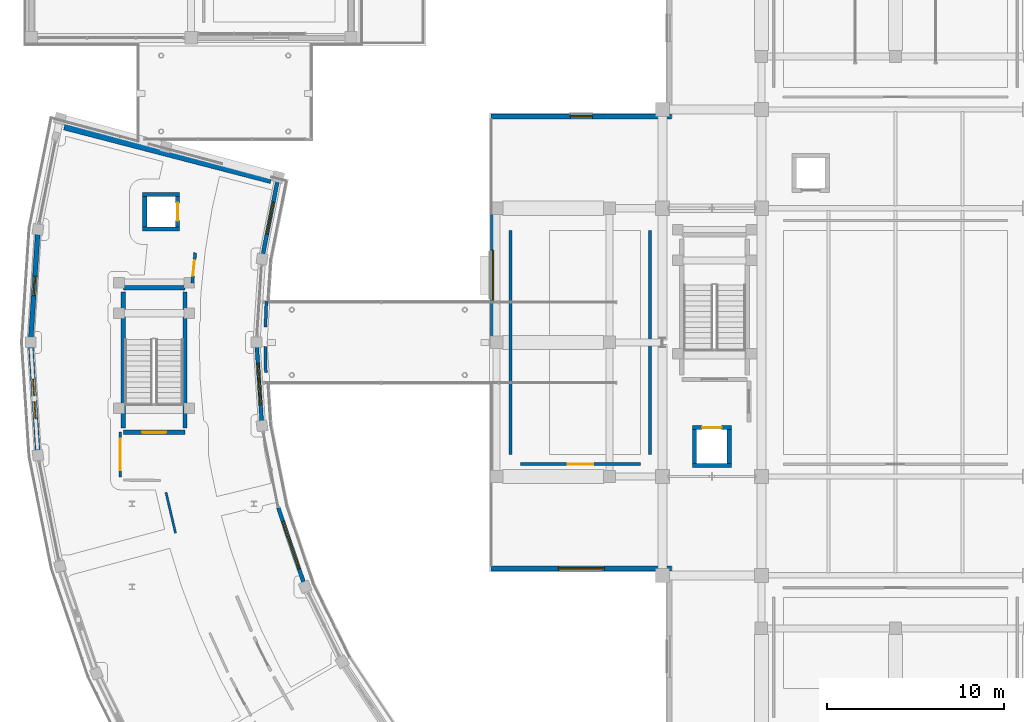
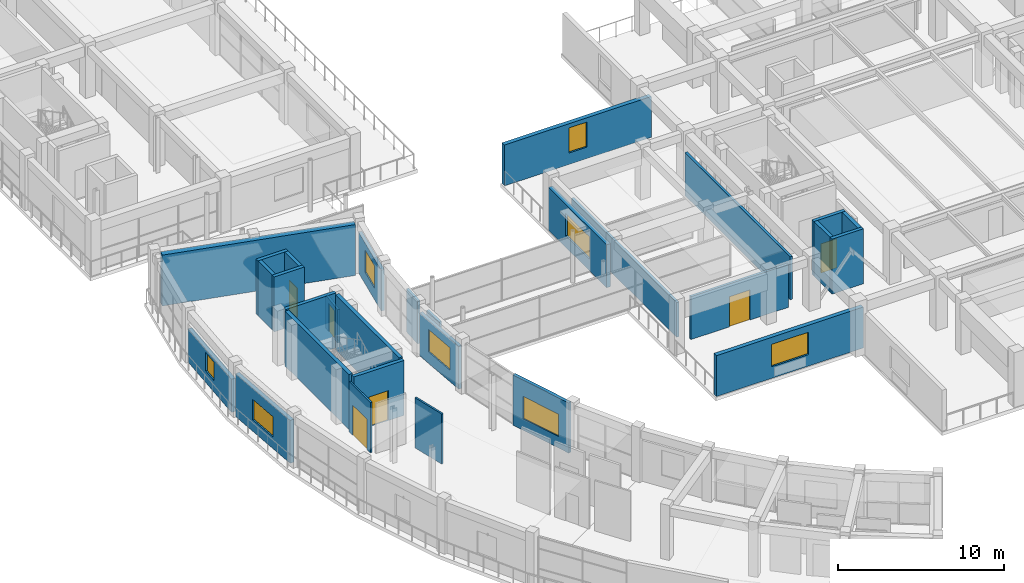
# One storey, part 47 of 70: 29 walls, 8 windows, 6 doors, 14 openings.
"""IFC4 building model written with IfcOpenShell, lengths in metres."""

from ifc_helpers import new_model, si_unit, direction, frame, frame_2d, origin, place, context, subcontext, project, spatial, rectangle, extrude, material, layer, layer_set, type_object, element, fill, save


model = new_model("IFC4")

# Units and contexts
model_context = context("Model", 3, precision=1e-05, world=origin(), true_north=direction((0.0, 1.0)))
body_context = subcontext(model_context, "Body", "Model", "MODEL_VIEW")
ifc_project = project(units=[si_unit("LENGTHUNIT", "METRE"), si_unit("AREAUNIT", "SQUARE_METRE"), si_unit("VOLUMEUNIT", "CUBIC_METRE"), si_unit("PLANEANGLEUNIT", "RADIAN"), si_unit("MASSUNIT", "GRAM", prefix="KILO")], contexts=[model_context])

# Site, building, storey
site_placement = place(None, origin())
site = spatial("IfcSite", under=ifc_project, at=site_placement, CompositionType="ELEMENT")
building_placement = place(site_placement, origin())
building = spatial("IfcBuilding", under=site, at=building_placement, Name="Saryqyr Civic Hall", CompositionType="ELEMENT")
storey_placement = place(building_placement, frame((0.0, 0.0, 13.199951171875)))
storey = spatial("IfcBuildingStorey", under=building, at=storey_placement, Name="L03", CompositionType="ELEMENT", Elevation=13.199951171875)

# Wall, opening, window
ifc_material_1 = material(Name="Precast concrete C40/50", Category="concrete")
ifc_layer_1 = layer(ifc_material_1, 0.219970703125, Name="Precast concrete C40/50")
ifc_layer_set_1 = layer_set([ifc_layer_1], Name="Precast concrete C40/50")
wall_type_1 = type_object("IfcWallType", Name="ENV-WAL-EXT-220", PredefinedType="STANDARD", material=ifc_layer_set_1)
wall_1_placement = place(storey_placement, frame((21.98681640625, 93.13427734375, 0.0), z_axis=(0.0, 0.0, 1.0), x_axis=(-0.1950901202, -0.980785320547, 0.0)))
wall_1 = element("IfcWall", 1, at=wall_1_placement, inside=storey, type_object=wall_type_1, Name="Exterior wall V4-EWI-L03-00", PredefinedType="STANDARD", context=body_context, shape_type="SweptSolid", body=[
    extrude(rectangle(XDim=4.256103515625, YDim=0.219970703125, at=frame_2d((2.1279296875, 0.0))), origin(), (0.0, 0.0, 1.0), 3.01513671875),
])
opening_1_placement = place(wall_1_placement, frame((1.202880859375, 0.0, 0.85009765625)))
opening_1 = element("IfcOpeningElement", 2, at=opening_1_placement, cuts=wall_1, Name="Opening W-20", PredefinedType="OPENING", context=body_context, shape_type="SweptSolid", body=[
    extrude(rectangle(XDim=1.85009765625, YDim=1.64990234375, at=frame_2d((0.925048828125, 0.824951171875))), frame((0.0, 0.119873046875, 0.0), z_axis=(0.0, -1.0, 0.0), x_axis=(1.0, 0.0, 0.0)), (0.0, 0.0, 1.0), 0.239990234375),
])
ifc_material_2 = material(Name="Anodised aluminium and triple low-E glass", Category="aluminium")
window_type_1 = type_object("IfcWindowType", Name="ENV-WIN-W20", PartitioningType="SINGLE_PANEL", PredefinedType="WINDOW", material=ifc_material_2)
window_1_placement = place(opening_1_placement, origin())
window_1 = element("IfcWindow", 3, at=window_1_placement, inside=storey, type_object=window_type_1, Name="Courtyard window V4-L03-00", OverallHeight=1.64990234375, OverallWidth=1.85009765625, PartitioningType="SINGLE_PANEL", PredefinedType="WINDOW", context=body_context, shape_type="SweptSolid", body=[
    extrude(rectangle(XDim=1.85009765625, YDim=1.64990234375, at=frame_2d((0.925048828125, 0.824951171875))), frame((0.0, 0.030029296875, 0.0), z_axis=(0.0, -1.0, 0.0), x_axis=(1.0, 0.0, 0.0)), (0.0, 0.0, 1.0), 0.06005859375),
])
fill(opening_1, window_1)

wall_2_placement = place(storey_placement, frame((20.8154296875, 83.764892578125, 0.0), z_axis=(0.0, 0.0, 1.0), x_axis=(0.065386512163, -0.99786001224, 0.0)))
wall_2 = element("IfcWall", 4, at=wall_2_placement, inside=storey, type_object=wall_type_1, Name="Exterior wall V4-EWI-L03-02", PredefinedType="STANDARD", context=body_context, shape_type="SweptSolid", body=[
    extrude(rectangle(XDim=4.263916015625, YDim=0.219970703125, at=frame_2d((2.1318359375, 0.0))), origin(), (0.0, 0.0, 1.0), 3.1650390625),
])
opening_2_placement = place(wall_2_placement, frame((0.95703125, 0.0, 0.85009765625)))
opening_2 = element("IfcOpeningElement", 5, at=opening_2_placement, cuts=wall_2, Name="Opening W-22", PredefinedType="OPENING", context=body_context, shape_type="SweptSolid", body=[
    extrude(rectangle(XDim=2.35009765625, YDim=1.64990234375, at=frame_2d((1.175048828125, 0.824951171875))), frame((0.0, 0.119873046875, 0.0), z_axis=(0.0, -1.0, 0.0), x_axis=(1.0, 0.0, 0.0)), (0.0, 0.0, 1.0), 0.239990234375),
])
window_type_2 = type_object("IfcWindowType", Name="ENV-WIN-W22", PartitioningType="SINGLE_PANEL", PredefinedType="WINDOW", material=ifc_material_2)
window_2_placement = place(opening_2_placement, origin())
window_2 = element("IfcWindow", 6, at=window_2_placement, inside=storey, type_object=window_type_2, Name="Courtyard window V4-L03-02", OverallHeight=1.64990234375, OverallWidth=2.35009765625, PartitioningType="SINGLE_PANEL", PredefinedType="WINDOW", context=body_context, shape_type="SweptSolid", body=[
    extrude(rectangle(XDim=2.35009765625, YDim=1.64990234375, at=frame_2d((1.175048828125, 0.824951171875))), frame((0.0, 0.030029296875, 0.0), z_axis=(0.0, -1.0, 0.0), x_axis=(1.0, 0.0, 0.0)), (0.0, 0.0, 1.0), 0.06005859375),
])
fill(opening_2, window_2)

wall_3_placement = place(storey_placement, frame((22.033447265625, 74.630859375, 0.0), z_axis=(0.0, 0.0, 1.0), x_axis=(0.321446201736, -0.946927842758, 0.0)))
wall_3 = element("IfcWall", 7, at=wall_3_placement, inside=storey, type_object=wall_type_1, Name="Exterior wall V4-EWI-L03-04", PredefinedType="STANDARD", context=body_context, shape_type="SweptSolid", body=[
    extrude(rectangle(XDim=4.487060546875, YDim=0.219970703125, at=frame_2d((2.24365234375, 0.0))), origin(), (0.0, 0.0, 1.0), 3.699951171875),
])
opening_3_placement = place(wall_3_placement, frame((0.819091796875, 0.0, 0.85009765625)))
opening_3 = element("IfcOpeningElement", 8, at=opening_3_placement, cuts=wall_3, Name="Opening W-24", PredefinedType="OPENING", context=body_context, shape_type="SweptSolid", body=[
    extrude(rectangle(XDim=2.85009765625, YDim=1.64990234375, at=frame_2d((1.425048828125, 0.824951171875))), frame((0.0, 0.119873046875, 0.0), z_axis=(0.0, -1.0, 0.0), x_axis=(1.0, 0.0, 0.0)), (0.0, 0.0, 1.0), 0.239990234375),
])
window_type_3 = type_object("IfcWindowType", Name="ENV-WIN-W24", PartitioningType="SINGLE_PANEL", PredefinedType="WINDOW", material=ifc_material_2)
window_3_placement = place(opening_3_placement, origin())
window_3 = element("IfcWindow", 9, at=window_3_placement, inside=storey, type_object=window_type_3, Name="Courtyard window V4-L03-04", OverallHeight=1.64990234375, OverallWidth=2.85009765625, PartitioningType="SINGLE_PANEL", PredefinedType="WINDOW", context=body_context, shape_type="SweptSolid", body=[
    extrude(rectangle(XDim=2.85009765625, YDim=1.64990234375, at=frame_2d((1.425048828125, 0.824951171875))), frame((0.0, 0.030029296875, 0.0), z_axis=(0.0, -1.0, 0.0), x_axis=(1.0, 0.0, 0.0)), (0.0, 0.0, 1.0), 0.06005859375),
])
fill(opening_3, window_3)

ifc_layer_2 = layer(ifc_material_1, 0.27001953125, Name="Precast concrete C40/50")
ifc_layer_set_2 = layer_set([ifc_layer_2], Name="Precast concrete C40/50")
wall_type_2 = type_object("IfcWallType", Name="ENV-WAL-EXT-270", PredefinedType="STANDARD", material=ifc_layer_set_2)
wall_4_placement = place(storey_placement, frame((8.015380859375, 84.235107421875, 0.0), z_axis=(0.0, 0.0, 1.0), x_axis=(0.065408412816, 0.99785857692, 0.0)))
wall_4 = element("IfcWall", 10, at=wall_4_placement, inside=storey, type_object=wall_type_2, Name="Exterior wall V4-EWO-L03-01", PredefinedType="STANDARD", context=body_context, shape_type="SweptSolid", body=[
    extrude(rectangle(XDim=5.9384765625, YDim=0.27001953125, at=frame_2d((2.96923828125, 0.0))), origin(), (0.0, 0.0, 1.0), 2.449951171875),
])
opening_4_placement = place(wall_4_placement, frame((2.4189453125, 0.0, 0.85009765625)))
opening_4 = element("IfcOpeningElement", 11, at=opening_4_placement, cuts=wall_4, Name="Opening W-01", PredefinedType="OPENING", context=body_context, shape_type="SweptSolid", body=[
    extrude(rectangle(XDim=1.10009765625, YDim=1.35009765625, at=frame_2d((0.550048828125, 0.675048828125))), frame((0.0, 0.14501953125, 0.0), z_axis=(0.0, -1.0, 0.0), x_axis=(1.0, 0.0, 0.0)), (0.0, 0.0, 1.0), 0.2900390625),
])
window_type_4 = type_object("IfcWindowType", Name="ENV-WIN-W01", PartitioningType="SINGLE_PANEL", PredefinedType="WINDOW", material=ifc_material_2)
window_4_placement = place(opening_4_placement, origin())
window_4 = element("IfcWindow", 12, at=window_4_placement, inside=storey, type_object=window_type_4, Name="Exterior ribbon window V4-L03-01", OverallHeight=1.35009765625, OverallWidth=1.10009765625, PartitioningType="SINGLE_PANEL", PredefinedType="WINDOW", context=body_context, shape_type="SweptSolid", body=[
    extrude(rectangle(XDim=1.10009765625, YDim=1.35009765625, at=frame_2d((0.550048828125, 0.675048828125))), frame((0.0, 0.030029296875, 0.0), z_axis=(0.0, -1.0, 0.0), x_axis=(1.0, 0.0, 0.0)), (0.0, 0.0, 1.0), 0.06005859375),
])
fill(opening_4, window_4)

wall_5_placement = place(storey_placement, frame((8.40380859375, 77.839111328125, 0.0), z_axis=(0.0, 0.0, 1.0), x_axis=(-0.065408412816, 0.99785857692, 0.0)))
wall_5 = element("IfcWall", 13, at=wall_5_placement, inside=storey, type_object=wall_type_2, Name="Exterior wall V4-EWO-L03-02", PredefinedType="STANDARD", context=body_context, shape_type="SweptSolid", body=[
    extrude(rectangle(XDim=5.9384765625, YDim=0.27001953125, at=frame_2d((2.96923828125, 0.0))), origin(), (0.0, 0.0, 1.0), 3.1650390625),
])
opening_5_placement = place(wall_5_placement, frame((1.843994140625, 0.0, 0.85009765625)))
opening_5 = element("IfcOpeningElement", 14, at=opening_5_placement, cuts=wall_5, Name="Opening W-15", PredefinedType="OPENING", context=body_context, shape_type="SweptSolid", body=[
    extrude(rectangle(XDim=2.25, YDim=1.5, at=frame_2d((1.125, 0.75))), frame((0.0, 0.14501953125, 0.0), z_axis=(0.0, -1.0, 0.0), x_axis=(1.0, 0.0, 0.0)), (0.0, 0.0, 1.0), 0.2900390625),
])
window_type_5 = type_object("IfcWindowType", Name="ENV-WIN-W15", PartitioningType="SINGLE_PANEL", PredefinedType="WINDOW", material=ifc_material_2)
window_5_placement = place(opening_5_placement, origin())
window_5 = element("IfcWindow", 15, at=window_5_placement, inside=storey, type_object=window_type_5, Name="Exterior ribbon window V4-L03-02", OverallHeight=1.5, OverallWidth=2.25, PartitioningType="SINGLE_PANEL", PredefinedType="WINDOW", context=body_context, shape_type="SweptSolid", body=[
    extrude(rectangle(XDim=2.25, YDim=1.5, at=frame_2d((1.125, 0.75))), frame((0.0, 0.030029296875, 0.0), z_axis=(0.0, -1.0, 0.0), x_axis=(1.0, 0.0, 0.0)), (0.0, 0.0, 1.0), 0.06005859375),
])
fill(opening_5, window_5)

ifc_layer_3 = layer(ifc_material_1, 0.2900390625, Name="Precast concrete C40/50")
ifc_layer_set_3 = layer_set([ifc_layer_3], Name="Precast concrete C40/50")
wall_type_3 = type_object("IfcWallType", Name="ENV-WAL-EXT-290", PredefinedType="STANDARD", material=ifc_layer_set_3)
wall_6_placement = place(storey_placement, frame((44.320068359375, 71.199951171875, 0.0), z_axis=(0.0, 0.0, 1.0), x_axis=(-1.0, 0.0, 0.0)))
wall_6 = element("IfcWall", 16, at=wall_6_placement, inside=storey, type_object=wall_type_3, Name="Exterior wall V1-EW-L03-01", PredefinedType="STANDARD", context=body_context, shape_type="SweptSolid", body=[
    extrude(rectangle(XDim=10.239990234375, YDim=0.2900390625, at=frame_2d((5.1201171875, 0.0))), origin(), (0.0, 0.0, 1.0), 3.01513671875),
])
opening_6_placement = place(wall_6_placement, frame((3.820068359375, 0.0, 0.85009765625)))
opening_6 = element("IfcOpeningElement", 17, at=opening_6_placement, cuts=wall_6, Name="Opening W-23", PredefinedType="OPENING", context=body_context, shape_type="SweptSolid", body=[
    extrude(rectangle(XDim=2.60009765625, YDim=1.64990234375, at=frame_2d((1.300048828125, 0.824951171875))), frame((0.0, 0.155029296875, 0.0), z_axis=(0.0, -1.0, 0.0), x_axis=(1.0, 0.0, 0.0)), (0.0, 0.0, 1.0), 0.31005859375),
])
window_type_6 = type_object("IfcWindowType", Name="ENV-WIN-W23", PartitioningType="SINGLE_PANEL", PredefinedType="WINDOW", material=ifc_material_2)
window_6_placement = place(opening_6_placement, origin())
window_6 = element("IfcWindow", 18, at=window_6_placement, inside=storey, type_object=window_type_6, Name="Chamber cluster window L03-01", OverallHeight=1.64990234375, OverallWidth=2.60009765625, PartitioningType="SINGLE_PANEL", PredefinedType="WINDOW", context=body_context, shape_type="SweptSolid", body=[
    extrude(rectangle(XDim=2.60009765625, YDim=1.64990234375, at=frame_2d((1.300048828125, 0.824951171875))), frame((0.0, 0.030029296875, 0.0), z_axis=(0.0, -1.0, 0.0), x_axis=(1.0, 0.0, 0.0)), (0.0, 0.0, 1.0), 0.06005859375),
])
fill(opening_6, window_6)

wall_7_placement = place(storey_placement, frame((34.199951171875, 84.284912109375, 0.0), z_axis=(0.0, 0.0, 1.0), x_axis=(0.0, 1.0, 0.0)))
wall_7 = element("IfcWall", 19, at=wall_7_placement, inside=storey, type_object=wall_type_3, Name="Exterior wall V1-EW-L03-02", PredefinedType="STANDARD", context=body_context, shape_type="SweptSolid", body=[
    extrude(rectangle(XDim=7.030029296875, YDim=0.2900390625, at=frame_2d((3.51513671875, 0.0))), origin(), (0.0, 0.0, 1.0), 3.1650390625),
])
opening_7_placement = place(wall_7_placement, frame((2.090087890625, 0.0, 0.85009765625)))
opening_7 = element("IfcOpeningElement", 20, at=opening_7_placement, cuts=wall_7, Name="Opening W-24", PredefinedType="OPENING", context=body_context, shape_type="SweptSolid", body=[
    extrude(rectangle(XDim=2.85009765625, YDim=1.64990234375, at=frame_2d((1.425048828125, 0.824951171875))), frame((0.0, 0.155029296875, 0.0), z_axis=(0.0, -1.0, 0.0), x_axis=(1.0, 0.0, 0.0)), (0.0, 0.0, 1.0), 0.31005859375),
])
window_7_placement = place(opening_7_placement, origin())
window_7 = element("IfcWindow", 21, at=window_7_placement, inside=storey, type_object=window_type_3, Name="Chamber cluster window L03-02", OverallHeight=1.64990234375, OverallWidth=2.85009765625, PartitioningType="SINGLE_PANEL", PredefinedType="WINDOW", context=body_context, shape_type="SweptSolid", body=[
    extrude(rectangle(XDim=2.85009765625, YDim=1.64990234375, at=frame_2d((1.425048828125, 0.824951171875))), frame((0.0, 0.030029296875, 0.0), z_axis=(0.0, -1.0, 0.0), x_axis=(1.0, 0.0, 0.0)), (0.0, 0.0, 1.0), 0.06005859375),
])
fill(opening_7, window_7)

wall_8_placement = place(storey_placement, frame((34.080078125, 96.800048828125, 0.0), z_axis=(0.0, 0.0, 1.0), x_axis=(1.0, 0.0, 0.0)))
wall_8 = element("IfcWall", 22, at=wall_8_placement, inside=storey, type_object=wall_type_3, Name="Exterior wall V1-EW-L03-03", PredefinedType="STANDARD", context=body_context, shape_type="SweptSolid", body=[
    extrude(rectangle(XDim=10.239990234375, YDim=0.2900390625, at=frame_2d((5.1201171875, 0.0))), origin(), (0.0, 0.0, 1.0), 3.01513671875),
])
opening_8_placement = place(wall_8_placement, frame((4.4951171875, 0.0, 0.85009765625)))
opening_8 = element("IfcOpeningElement", 23, at=opening_8_placement, cuts=wall_8, Name="Opening W-25", PredefinedType="OPENING", context=body_context, shape_type="SweptSolid", body=[
    extrude(rectangle(XDim=1.25, YDim=1.85009765625, at=frame_2d((0.625, 0.925048828125))), frame((0.0, 0.155029296875, 0.0), z_axis=(0.0, -1.0, 0.0), x_axis=(1.0, 0.0, 0.0)), (0.0, 0.0, 1.0), 0.31005859375),
])
window_type_7 = type_object("IfcWindowType", Name="ENV-WIN-W25", PartitioningType="SINGLE_PANEL", PredefinedType="WINDOW", material=ifc_material_2)
window_8_placement = place(opening_8_placement, origin())
window_8 = element("IfcWindow", 24, at=window_8_placement, inside=storey, type_object=window_type_7, Name="Chamber cluster window L03-03", OverallHeight=1.85009765625, OverallWidth=1.25, PartitioningType="SINGLE_PANEL", PredefinedType="WINDOW", context=body_context, shape_type="SweptSolid", body=[
    extrude(rectangle(XDim=1.25, YDim=1.85009765625, at=frame_2d((0.625, 0.925048828125))), frame((0.0, 0.030029296875, 0.0), z_axis=(0.0, -1.0, 0.0), x_axis=(1.0, 0.0, 0.0)), (0.0, 0.0, 1.0), 0.06005859375),
])
fill(opening_8, window_8)

# Wall
ifc_material_3 = material(Name="Concrete C40/50", Category="concrete")
ifc_layer_4 = layer(ifc_material_3, 0.3798828125, Name="Concrete C40/50")
ifc_layer_set_4 = layer_set([ifc_layer_4], Name="Concrete C40/50")
wall_type_4 = type_object("IfcWallType", Name="ENV-WAL-PTY-380", PredefinedType="SHEAR", material=ifc_layer_set_4)
wall_9_placement = place(storey_placement, frame((9.910400390625, 96.22216796875, 0.0), z_axis=(0.0, 0.0, 1.0), x_axis=(0.96792914822, -0.251223334956, 0.0)))
element("IfcWall", 25, at=wall_9_placement, inside=storey, type_object=wall_type_4, Name="Exterior wall V4-JNTW-A-L03", PredefinedType="SHEAR", context=body_context, shape_type="SweptSolid", body=[
    extrude(rectangle(XDim=12.099853515625, YDim=0.3798828125, at=frame_2d((6.0498046875, 0.0))), origin(), (0.0, 0.0, 1.0), 3.75),
])

# Wall, opening, door
ifc_material_4 = material(Name="Metal-stud gypsum board partition", Category="gypsum")
ifc_layer_5 = layer(ifc_material_4, 0.125, Name="Metal-stud gypsum board partition")
ifc_layer_set_5 = layer_set([ifc_layer_5], Name="Metal-stud gypsum board partition")
wall_type_5 = type_object("IfcWallType", Name="INT-WAL-PRT-125", PredefinedType="PARTITIONING", material=ifc_layer_set_5)
wall_10_placement = place(storey_placement, frame((13.080078125, 78.922119140625, 0.0), z_axis=(0.0, 0.0, 1.0), x_axis=(0.0, -1.0, 0.0)))
wall_10 = element("IfcWall", 26, at=wall_10_placement, inside=storey, type_object=wall_type_5, Name="Interior partition PRT-SP-V4-L03-R01-W1", PredefinedType="PARTITIONING", context=body_context, shape_type="SweptSolid", body=[
    extrude(rectangle(XDim=2.542236328125, YDim=0.125, at=frame_2d((1.27099609375, 0.0))), origin(), (0.0, 0.0, 1.0), 3.699951171875),
])
opening_9_placement = place(wall_10_placement, frame((0.37109375, 0.0, 0.0)))
opening_9 = element("IfcOpeningElement", 27, at=opening_9_placement, cuts=wall_10, Name="Opening D-15", PredefinedType="OPENING", context=body_context, shape_type="SweptSolid", body=[
    extrude(rectangle(XDim=1.800048828125, YDim=2.219970703125, at=frame_2d((0.89990234375, 1.10986328125))), frame((0.0, 0.072509765625, 0.0), z_axis=(0.0, -1.0, 0.0), x_axis=(1.0, 0.0, 0.0)), (0.0, 0.0, 1.0), 0.14501953125),
])
ifc_material_5 = material(Name="Acoustic solid-core oak veneer", Category="wood")
door_type_1 = type_object("IfcDoorType", Name="INT-DR-D-15", OperationType="NOTDEFINED", PredefinedType="DOOR", material=ifc_material_5)
door_1_placement = place(opening_9_placement, origin())
door_1 = element("IfcDoor", 28, at=door_1_placement, inside=storey, type_object=door_type_1, Name="Interior door Transport & Mobility Department Studio", OperationType="DOUBLE_DOOR_SINGLE_SWING", OverallHeight=2.219970703125, OverallWidth=1.800048828125, PredefinedType="DOOR", context=body_context, shape_type="SweptSolid", body=[
    extrude(rectangle(XDim=1.800048828125, YDim=2.219970703125, at=frame_2d((0.89990234375, 1.10986328125))), frame((0.0, 0.02490234375, 0.0), z_axis=(0.0, -1.0, 0.0), x_axis=(1.0, 0.0, 0.0)), (0.0, 0.0, 1.0), 0.050048828125),
])
fill(opening_9, door_1)

# Wall
wall_11_placement = place(storey_placement, frame((15.66943359375, 75.50537109375, 0.0), z_axis=(0.0, 0.0, 1.0), x_axis=(0.228683661035, -0.973500787455, 0.0)))
element("IfcWall", 29, at=wall_11_placement, inside=storey, type_object=wall_type_5, Name="Interior partition PRT-SP-V4-L03-R01-W3", PredefinedType="PARTITIONING", context=body_context, shape_type="SweptSolid", body=[
    extrude(rectangle(XDim=2.3720703125, YDim=0.125, at=frame_2d((1.18603515625, 0.0))), origin(), (0.0, 0.0, 1.0), 3.699951171875),
])

# Wall, opening, door
ifc_material_6 = material(Name="Acoustic double-stud gypsum board", Category="gypsum")
ifc_layer_6 = layer(ifc_material_6, 0.169921875, Name="Acoustic double-stud gypsum board")
ifc_layer_set_6 = layer_set([ifc_layer_6], Name="Acoustic double-stud gypsum board")
wall_type_6 = type_object("IfcWallType", Name="INT-WAL-PRT-170", PredefinedType="PARTITIONING", material=ifc_layer_set_6)
wall_12_placement = place(storey_placement, frame((17.154296875, 87.35595703125, 0.0), z_axis=(0.0, 0.0, 1.0), x_axis=(0.100761163017, 0.994910643238, 0.0)))
wall_12 = element("IfcWall", 30, at=wall_12_placement, inside=storey, type_object=wall_type_6, Name="Interior partition PRT-SP-V4-L03-R04-W1", PredefinedType="PARTITIONING", context=body_context, shape_type="SweptSolid", body=[
    extrude(rectangle(XDim=1.72998046875, YDim=0.169921875, at=frame_2d((0.864990234375, 0.0))), origin(), (0.0, 0.0, 1.0), 2.449951171875),
])
opening_10_placement = place(wall_12_placement, frame((0.4150390625, 0.0, 0.0)))
opening_10 = element("IfcOpeningElement", 31, at=opening_10_placement, cuts=wall_12, Name="Opening D-01", PredefinedType="OPENING", context=body_context, shape_type="SweptSolid", body=[
    extrude(rectangle(XDim=0.89990234375, YDim=2.10009765625, at=frame_2d((0.449951171875, 1.050048828125))), frame((0.0, 0.094970703125, 0.0), z_axis=(0.0, -1.0, 0.0), x_axis=(1.0, 0.0, 0.0)), (0.0, 0.0, 1.0), 0.18994140625),
])
door_type_2 = type_object("IfcDoorType", Name="INT-DR-D-01", OperationType="NOTDEFINED", PredefinedType="DOOR", material=ifc_material_5)
door_2_placement = place(opening_10_placement, origin())
door_2 = element("IfcDoor", 32, at=door_2_placement, inside=storey, type_object=door_type_2, Name="Interior door Standing Committee Room 3 (Ecology & Parks)", OperationType="SINGLE_SWING_RIGHT", OverallHeight=2.10009765625, OverallWidth=0.89990234375, PredefinedType="DOOR", context=body_context, shape_type="SweptSolid", body=[
    extrude(rectangle(XDim=0.89990234375, YDim=2.10009765625, at=frame_2d((0.449951171875, 1.050048828125))), frame((0.0, 0.02490234375, 0.0), z_axis=(0.0, -1.0, 0.0), x_axis=(1.0, 0.0, 0.0)), (0.0, 0.0, 1.0), 0.050048828125),
])
fill(opening_10, door_2)

# Walls
wall_13_placement = place(storey_placement, frame((21.361083984375, 86.328369140625, 0.0), z_axis=(0.0, 0.0, 1.0), x_axis=(-0.039609132178, -0.999215250408, 0.0)))
element("IfcWall", 33, at=wall_13_placement, inside=storey, type_object=wall_type_6, Name="Interior partition PRT-SP-V4-L03-R04-W2", PredefinedType="PARTITIONING", context=body_context, shape_type="SweptSolid", body=[
    extrude(rectangle(XDim=1.467041015625, YDim=0.169921875, at=frame_2d((0.7333984375, 0.0))), origin(), (0.0, 0.0, 1.0), 3.1650390625),
])
wall_14_placement = place(storey_placement, frame((21.29345703125, 83.76318359375, 0.0), z_axis=(0.0, 0.0, 1.0), x_axis=(0.021969059754, -0.999758651082, 0.0)))
element("IfcWall", 34, at=wall_14_placement, inside=storey, type_object=wall_type_6, Name="Interior partition PRT-SP-V4-L03-R04-W3", PredefinedType="PARTITIONING", context=body_context, shape_type="SweptSolid", body=[
    extrude(rectangle(XDim=1.466796875, YDim=0.169921875, at=frame_2d((0.7333984375, 0.0))), origin(), (0.0, 0.0, 1.0), 3.1650390625),
])
wall_15_placement = place(storey_placement, frame((43.10009765625, 90.35009765625, 0.0), z_axis=(0.0, 0.0, 1.0), x_axis=(0.0, -1.0, 0.0)))
element("IfcWall", 35, at=wall_15_placement, inside=storey, type_object=wall_type_6, Name="Interior partition PRT-SP-V1-L03-R04-W1", PredefinedType="PARTITIONING", context=body_context, shape_type="SweptSolid", body=[
    extrude(rectangle(XDim=12.7001953125, YDim=0.169921875, at=frame_2d((6.35009765625, 0.0))), origin(), (0.0, 0.0, 1.0), 3.1650390625),
])

# Wall, opening, door
wall_16_placement = place(storey_placement, frame((42.550048828125, 77.10009765625, 0.0), z_axis=(0.0, 0.0, 1.0), x_axis=(-1.0, 0.0, 0.0)))
wall_16 = element("IfcWall", 36, at=wall_16_placement, inside=storey, type_object=wall_type_6, Name="Interior partition PRT-SP-V1-L03-R04-W2", PredefinedType="PARTITIONING", context=body_context, shape_type="SweptSolid", body=[
    extrude(rectangle(XDim=6.800048828125, YDim=0.169921875, at=frame_2d((3.39990234375, 0.0))), origin(), (0.0, 0.0, 1.0), 3.1650390625),
])
opening_11_placement = place(wall_16_placement, frame((2.675048828125, 0.0, 0.0)))
opening_11 = element("IfcOpeningElement", 37, at=opening_11_placement, cuts=wall_16, Name="Opening D-13", PredefinedType="OPENING", context=body_context, shape_type="SweptSolid", body=[
    extrude(rectangle(XDim=1.449951171875, YDim=2.219970703125, at=frame_2d((0.72509765625, 1.10986328125))), frame((0.0, 0.094970703125, 0.0), z_axis=(0.0, -1.0, 0.0), x_axis=(1.0, 0.0, 0.0)), (0.0, 0.0, 1.0), 0.18994140625),
])
door_type_3 = type_object("IfcDoorType", Name="INT-DR-D-13", OperationType="NOTDEFINED", PredefinedType="DOOR", material=ifc_material_5)
door_3_placement = place(opening_11_placement, origin())
door_3 = element("IfcDoor", 38, at=door_3_placement, inside=storey, type_object=door_type_3, Name="Interior door Policy Analysts' Suite", OperationType="SINGLE_SWING_RIGHT", OverallHeight=2.219970703125, OverallWidth=1.449951171875, PredefinedType="DOOR", context=body_context, shape_type="SweptSolid", body=[
    extrude(rectangle(XDim=1.449951171875, YDim=2.219970703125, at=frame_2d((0.72509765625, 1.10986328125))), frame((0.0, 0.02490234375, 0.0), z_axis=(0.0, -1.0, 0.0), x_axis=(1.0, 0.0, 0.0)), (0.0, 0.0, 1.0), 0.050048828125),
])
fill(opening_11, door_3)

# Walls
wall_17_placement = place(storey_placement, frame((35.199951171875, 77.64990234375, 0.0), z_axis=(0.0, 0.0, 1.0), x_axis=(0.0, 1.0, 0.0)))
element("IfcWall", 39, at=wall_17_placement, inside=storey, type_object=wall_type_6, Name="Interior partition PRT-SP-V1-L03-R04-W3", PredefinedType="PARTITIONING", context=body_context, shape_type="SweptSolid", body=[
    extrude(rectangle(XDim=12.7001953125, YDim=0.169921875, at=frame_2d((6.35009765625, 0.0))), origin(), (0.0, 0.0, 1.0), 2.56494140625),
])
ifc_layer_7 = layer(ifc_material_3, 0.239990234375, Name="Concrete C40/50")
ifc_layer_set_7 = layer_set([ifc_layer_7], Name="Concrete C40/50")
wall_type_7 = type_object("IfcWallType", Name="INT-WAL-SHR-240", PredefinedType="SHEAR", material=ifc_layer_set_7)
wall_18_placement = place(storey_placement, frame((47.699951171875, 77.02001953125, 0.0), z_axis=(0.0, 0.0, 1.0), x_axis=(-1.0, 0.0, 0.0)))
element("IfcWall", 40, at=wall_18_placement, inside=storey, type_object=wall_type_7, Name="Lift shaft shear wall LF-01-SHW-S-L03", PredefinedType="SHEAR", context=body_context, shape_type="SweptSolid", body=[
    extrude(rectangle(XDim=2.199951171875, YDim=0.239990234375, at=frame_2d((1.10009765625, 0.0))), origin(), (0.0, 0.0, 1.0), 4.050048828125),
])
wall_19_placement = place(storey_placement, frame((47.580078125, 79.06005859375, 0.0), z_axis=(0.0, 0.0, 1.0), x_axis=(0.0, -1.0, 0.0)))
element("IfcWall", 41, at=wall_19_placement, inside=storey, type_object=wall_type_7, Name="Lift shaft shear wall LF-01-SHW-E-L03", PredefinedType="SHEAR", context=body_context, shape_type="SweptSolid", body=[
    extrude(rectangle(XDim=1.920166015625, YDim=0.239990234375, at=frame_2d((0.9599609375, 0.0))), origin(), (0.0, 0.0, 1.0), 4.050048828125),
])

# Wall, opening, door
wall_20_placement = place(storey_placement, frame((45.5, 79.179931640625, 0.0), z_axis=(0.0, 0.0, 1.0), x_axis=(1.0, 0.0, 0.0)))
wall_20 = element("IfcWall", 42, at=wall_20_placement, inside=storey, type_object=wall_type_7, Name="Lift shaft shear wall LF-01-SHW-N-L03", PredefinedType="SHEAR", context=body_context, shape_type="SweptSolid", body=[
    extrude(rectangle(XDim=2.199951171875, YDim=0.239990234375, at=frame_2d((1.10009765625, 0.0))), origin(), (0.0, 0.0, 1.0), 4.050048828125),
])
opening_12_placement = place(wall_20_placement, frame((0.550048828125, 0.0, 0.0)))
opening_12 = element("IfcOpeningElement", 43, at=opening_12_placement, cuts=wall_20, Name="Opening LD-01", PredefinedType="OPENING", context=body_context, shape_type="SweptSolid", body=[
    extrude(rectangle(XDim=1.10009765625, YDim=2.14990234375, at=frame_2d((0.550048828125, 1.074951171875))), frame((0.0, 0.1298828125, 0.0), z_axis=(0.0, -1.0, 0.0), x_axis=(1.0, 0.0, 0.0)), (0.0, 0.0, 1.0), 0.260009765625),
])
ifc_material_7 = material(Name="Brushed stainless steel", Category="steel")
door_type_4 = type_object("IfcDoorType", Name="INT-DR-LD-1100x2150", OperationType="NOTDEFINED", PredefinedType="DOOR", material=ifc_material_7)
door_4_placement = place(opening_12_placement, origin())
door_4 = element("IfcDoor", 44, at=door_4_placement, inside=storey, type_object=door_type_4, Name="Lift sliding landing door LF-01 L03", OperationType="SLIDING_TO_LEFT", OverallHeight=2.14990234375, OverallWidth=1.10009765625, PredefinedType="DOOR", context=body_context, shape_type="SweptSolid", body=[
    extrude(rectangle(XDim=1.10009765625, YDim=2.14990234375, at=frame_2d((0.550048828125, 1.074951171875))), frame((0.0, 0.02490234375, 0.0), z_axis=(0.0, -1.0, 0.0), x_axis=(1.0, 0.0, 0.0)), (0.0, 0.0, 1.0), 0.050048828125),
])
fill(opening_12, door_4)

# Walls
wall_21_placement = place(storey_placement, frame((45.6201171875, 77.139892578125, 0.0), z_axis=(0.0, 0.0, 1.0), x_axis=(0.0, 1.0, 0.0)))
element("IfcWall", 45, at=wall_21_placement, inside=storey, type_object=wall_type_7, Name="Lift shaft shear wall LF-01-SHW-W-L03", PredefinedType="SHEAR", context=body_context, shape_type="SweptSolid", body=[
    extrude(rectangle(XDim=1.920166015625, YDim=0.239990234375, at=frame_2d((0.9599609375, 0.0))), origin(), (0.0, 0.0, 1.0), 4.050048828125),
])
wall_22_placement = place(storey_placement, frame((16.449951171875, 90.419921875, 0.0), z_axis=(0.0, 0.0, 1.0), x_axis=(-1.0, 0.0, 0.0)))
element("IfcWall", 46, at=wall_22_placement, inside=storey, type_object=wall_type_7, Name="Lift shaft shear wall LF-06-SHW-S-L03", PredefinedType="SHEAR", context=body_context, shape_type="SweptSolid", body=[
    extrude(rectangle(XDim=2.099853515625, YDim=0.239990234375, at=frame_2d((1.0498046875, 0.0))), origin(), (0.0, 0.0, 1.0), 4.050048828125),
])

# Wall, opening, door
wall_23_placement = place(storey_placement, frame((16.330078125, 92.260009765625, 0.0), z_axis=(0.0, 0.0, 1.0), x_axis=(0.0, -1.0, 0.0)))
wall_23 = element("IfcWall", 47, at=wall_23_placement, inside=storey, type_object=wall_type_7, Name="Lift shaft shear wall LF-06-SHW-E-L03", PredefinedType="SHEAR", context=body_context, shape_type="SweptSolid", body=[
    extrude(rectangle(XDim=1.719970703125, YDim=0.239990234375, at=frame_2d((0.85986328125, 0.0))), origin(), (0.0, 0.0, 1.0), 4.050048828125),
])
opening_13_placement = place(wall_23_placement, frame((0.360107421875, 0.0, 0.0)))
opening_13 = element("IfcOpeningElement", 48, at=opening_13_placement, cuts=wall_23, Name="Opening LD-02", PredefinedType="OPENING", context=body_context, shape_type="SweptSolid", body=[
    extrude(rectangle(XDim=1.0, YDim=2.14990234375, at=frame_2d((0.5, 1.074951171875))), frame((0.0, 0.1298828125, 0.0), z_axis=(0.0, -1.0, 0.0), x_axis=(1.0, 0.0, 0.0)), (0.0, 0.0, 1.0), 0.260009765625),
])
door_type_5 = type_object("IfcDoorType", Name="INT-DR-LD-1000x2150", OperationType="NOTDEFINED", PredefinedType="DOOR", material=ifc_material_7)
door_5_placement = place(opening_13_placement, origin())
door_5 = element("IfcDoor", 49, at=door_5_placement, inside=storey, type_object=door_type_5, Name="Lift sliding landing door LF-06 L03", OperationType="SLIDING_TO_RIGHT", OverallHeight=2.14990234375, OverallWidth=1.0, PredefinedType="DOOR", context=body_context, shape_type="SweptSolid", body=[
    extrude(rectangle(XDim=1.0, YDim=2.14990234375, at=frame_2d((0.5, 1.074951171875))), frame((0.0, 0.02490234375, 0.0), z_axis=(0.0, -1.0, 0.0), x_axis=(1.0, 0.0, 0.0)), (0.0, 0.0, 1.0), 0.050048828125),
])
fill(opening_13, door_5)

# Walls
wall_24_placement = place(storey_placement, frame((14.35009765625, 92.3798828125, 0.0), z_axis=(0.0, 0.0, 1.0), x_axis=(1.0, 0.0, 0.0)))
element("IfcWall", 50, at=wall_24_placement, inside=storey, type_object=wall_type_7, Name="Lift shaft shear wall LF-06-SHW-N-L03", PredefinedType="SHEAR", context=body_context, shape_type="SweptSolid", body=[
    extrude(rectangle(XDim=2.099853515625, YDim=0.239990234375, at=frame_2d((1.0498046875, 0.0))), origin(), (0.0, 0.0, 1.0), 4.050048828125),
])
wall_25_placement = place(storey_placement, frame((14.469970703125, 90.5400390625, 0.0), z_axis=(0.0, 0.0, 1.0), x_axis=(0.0, 1.0, 0.0)))
element("IfcWall", 51, at=wall_25_placement, inside=storey, type_object=wall_type_7, Name="Lift shaft shear wall LF-06-SHW-W-L03", PredefinedType="SHEAR", context=body_context, shape_type="SweptSolid", body=[
    extrude(rectangle(XDim=1.719970703125, YDim=0.239990234375, at=frame_2d((0.85986328125, 0.0))), origin(), (0.0, 0.0, 1.0), 4.050048828125),
])

# Wall, opening, door
ifc_layer_8 = layer(ifc_material_3, 0.25, Name="Concrete C40/50")
ifc_layer_set_8 = layer_set([ifc_layer_8], Name="Concrete C40/50")
wall_type_8 = type_object("IfcWallType", Name="INT-WAL-SHR-250", PredefinedType="SHEAR", material=ifc_layer_set_8)
wall_26_placement = place(storey_placement, frame((16.75, 78.89990234375, 0.0), z_axis=(0.0, 0.0, 1.0), x_axis=(-1.0, 0.0, 0.0)))
wall_26 = element("IfcWall", 52, at=wall_26_placement, inside=storey, type_object=wall_type_8, Name="Protected stair shaft wall ST-4-SW1-L03", PredefinedType="SHEAR", context=body_context, shape_type="SweptSolid", body=[
    extrude(rectangle(XDim=3.5, YDim=0.25, at=frame_2d((1.75, 0.0))), origin(), (0.0, 0.0, 1.0), 4.050048828125),
])
opening_14_placement = place(wall_26_placement, frame((1.074951171875, 0.0, 0.0)))
opening_14 = element("IfcOpeningElement", 53, at=opening_14_placement, cuts=wall_26, Name="Opening SD-01", PredefinedType="OPENING", context=body_context, shape_type="SweptSolid", body=[
    extrude(rectangle(XDim=1.35009765625, YDim=2.199951171875, at=frame_2d((0.675048828125, 1.10009765625))), frame((0.0, 0.135009765625, 0.0), z_axis=(0.0, -1.0, 0.0), x_axis=(1.0, 0.0, 0.0)), (0.0, 0.0, 1.0), 0.27001953125),
])
ifc_material_8 = material(Name="Painted galvanized steel", Category="steel")
door_type_6 = type_object("IfcDoorType", Name="INT-DR-STAIR-1350x2200", OperationType="NOTDEFINED", PredefinedType="DOOR", material=ifc_material_8)
door_6_placement = place(opening_14_placement, origin())
door_6 = element("IfcDoor", 54, at=door_6_placement, inside=storey, type_object=door_type_6, Name="Exit stair landing fire door ST-4-L03", OperationType="SINGLE_SWING_LEFT", OverallHeight=2.199951171875, OverallWidth=1.35009765625, PredefinedType="DOOR", context=body_context, shape_type="SweptSolid", body=[
    extrude(rectangle(XDim=1.35009765625, YDim=2.199951171875, at=frame_2d((0.675048828125, 1.10009765625))), frame((0.0, 0.02490234375, 0.0), z_axis=(0.0, -1.0, 0.0), x_axis=(1.0, 0.0, 0.0)), (0.0, 0.0, 1.0), 0.050048828125),
])
fill(opening_14, door_6)

# Walls
wall_27_placement = place(storey_placement, frame((13.25, 79.14990234375, 0.0), z_axis=(0.0, 0.0, 1.0), x_axis=(0.0, 1.0, 0.0)))
element("IfcWall", 55, at=wall_27_placement, inside=storey, type_object=wall_type_8, Name="Protected stair shaft wall ST-4-SW2-L03", PredefinedType="SHEAR", context=body_context, shape_type="SweptSolid", body=[
    extrude(rectangle(XDim=7.7001953125, YDim=0.25, at=frame_2d((3.85009765625, 0.0))), origin(), (0.0, 0.0, 1.0), 4.050048828125),
])
wall_28_placement = place(storey_placement, frame((13.25, 87.10009765625, 0.0), z_axis=(0.0, 0.0, 1.0), x_axis=(1.0, 0.0, 0.0)))
element("IfcWall", 56, at=wall_28_placement, inside=storey, type_object=wall_type_8, Name="Protected stair shaft wall ST-4-SW3-L03", PredefinedType="SHEAR", context=body_context, shape_type="SweptSolid", body=[
    extrude(rectangle(XDim=3.5, YDim=0.25, at=frame_2d((1.75, 0.0))), origin(), (0.0, 0.0, 1.0), 4.050048828125),
])
wall_29_placement = place(storey_placement, frame((16.75, 86.85009765625, 0.0), z_axis=(0.0, 0.0, 1.0), x_axis=(0.0, -1.0, 0.0)))
element("IfcWall", 57, at=wall_29_placement, inside=storey, type_object=wall_type_8, Name="Protected stair shaft wall ST-4-SW4-L03", PredefinedType="SHEAR", context=body_context, shape_type="SweptSolid", body=[
    extrude(rectangle(XDim=7.7001953125, YDim=0.25, at=frame_2d((3.85009765625, 0.0))), origin(), (0.0, 0.0, 1.0), 4.050048828125),
])

save(model, "model.ifc")
